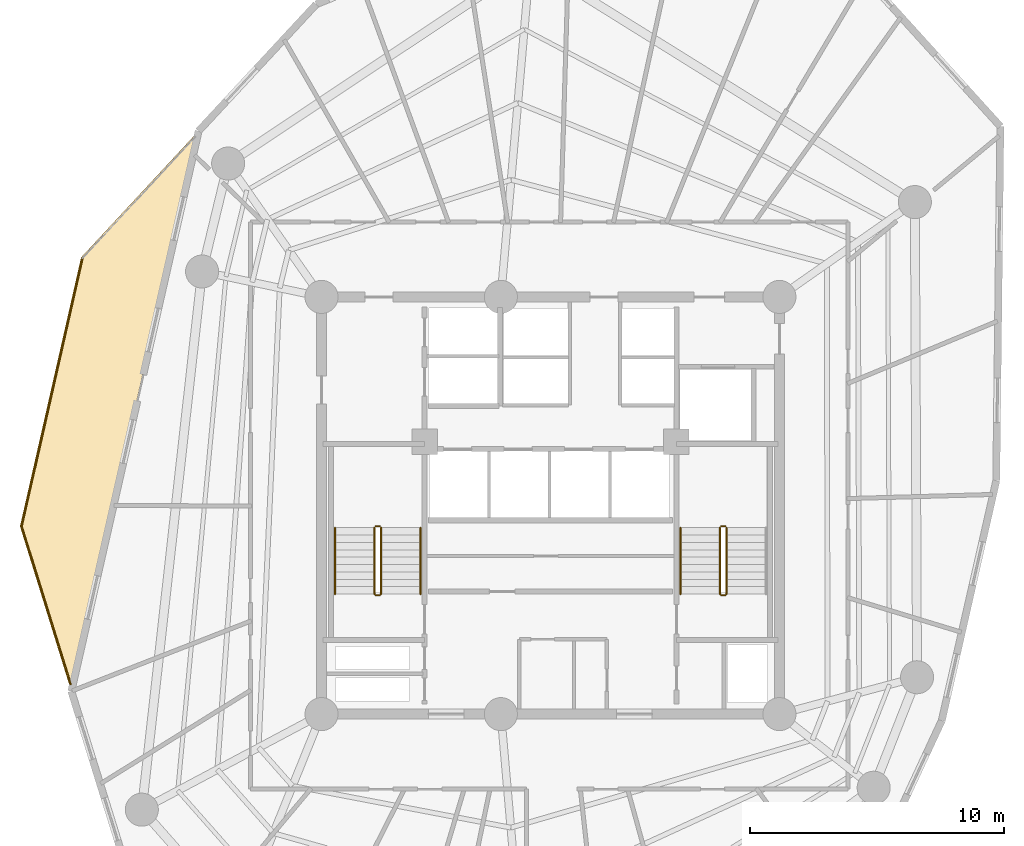
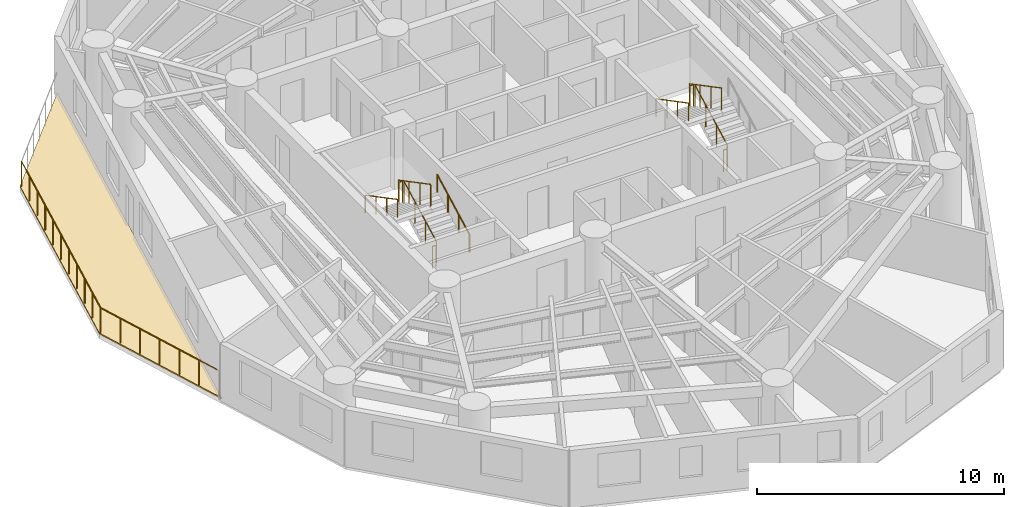
# One storey, part 8 of 9: 13 railings, 1 covering.
"""IFC4 building model written with IfcOpenShell, lengths in metres."""

import ifcopenshell
import ifcopenshell.guid

model = None  # the IFC model being written
_history = None  # IfcOwnerHistory: only IFC2X3 demands one
_inside = {}  # id of a spatial element -> (the spatial element, [elements in it])
_under = {}  # id of a project, library or spatial element -> (it, [spatial elements below it])
_declared = {}  # id of a project -> (the project, [libraries it declares])
_typed = {}  # id of a type object -> (the type object, [elements of that type])
_made_of = {}  # id of a material, layer set ... -> (it, [elements and type objects made of it])


def new_model(schema):
    """Start an empty IFC model of exactly this schema.

    Asked for "IFC4X3", IfcOpenShell would pick the latest addendum, in which some entities
    have other attributes; the version numbers below select the first issue.
    IFC2X3 requires an IfcOwnerHistory on every rooted entity: one is made here for all.
    """
    global model, _history
    if schema == "IFC4X3":
        model = ifcopenshell.file(schema_version=(4, 3, 0, 0))
    else:
        model = ifcopenshell.file(schema=schema)
    _inside.clear()
    _under.clear()
    _declared.clear()
    _typed.clear()
    _made_of.clear()
    _history = None
    if model.schema == "IFC2X3":
        org = make("IfcOrganization", Name="unknown")
        user = make(
            "IfcPersonAndOrganization",
            ThePerson=make("IfcPerson", FamilyName="unknown"),
            TheOrganization=org,
        )
        app = make(
            "IfcApplication",
            ApplicationDeveloper=org,
            Version="unknown",
            ApplicationFullName="unknown",
            ApplicationIdentifier="unknown",
        )
        _history = make(
            "IfcOwnerHistory",
            OwningUser=user,
            OwningApplication=app,
            ChangeAction="ADDED",
            CreationDate=0,
        )
    return model


def make(cls, **values):
    """One entity of the class cls with the attributes given. An attribute that is None is left unset."""
    return model.create_entity(
        cls, **{name: value for name, value in values.items() if value is not None}
    )


def rooted(cls, **values):
    """An entity with a GlobalId (a new one), such as an element, a storey or a relation."""
    return make(cls, GlobalId=ifcopenshell.guid.new(), OwnerHistory=_history, **values)


def si_unit(unit_type, name, prefix=None):
    """IfcSIUnit, for example si_unit("LENGTHUNIT", "METRE", prefix="MILLI")."""
    return make("IfcSIUnit", UnitType=unit_type, Prefix=prefix, Name=name)


def assignment(units):
    """IfcUnitAssignment: the units of a project."""
    return None if units is None else make("IfcUnitAssignment", Units=units)


def point(xyz):
    """IfcCartesianPoint."""
    return None if xyz is None else make("IfcCartesianPoint", Coordinates=xyz)


def direction(xyz):
    """IfcDirection."""
    return None if xyz is None else make("IfcDirection", DirectionRatios=xyz)


def frame(location, z_axis=None, x_axis=None):
    """IfcAxis2Placement3D, a coordinate frame: its origin and axes. An axis left out is left unset."""
    return make(
        "IfcAxis2Placement3D",
        Location=point(location),
        Axis=direction(z_axis),
        RefDirection=direction(x_axis),
    )


def frame_2d(location, x_axis=None):
    """IfcAxis2Placement2D, a coordinate frame in the plane: its origin and x axis."""
    return make(
        "IfcAxis2Placement2D", Location=point(location), RefDirection=direction(x_axis)
    )


def origin():
    """The frame at (0, 0, 0) with its axes left unset."""
    return frame((0.0, 0.0, 0.0))


def origin_2d():
    """The frame at (0, 0) in the plane with its x axis left unset."""
    return frame_2d((0.0, 0.0))


def place(relative_to, where):
    """IfcLocalPlacement: puts the frame where relative to a parent placement (None: the world)."""
    return make(
        "IfcLocalPlacement", PlacementRelTo=relative_to, RelativePlacement=where
    )


def context(
    kind, dimensions, precision=None, world=None, true_north=None, identifier=None
):
    """IfcGeometricRepresentationContext, for example the 3D "Model" context."""
    return make(
        "IfcGeometricRepresentationContext",
        ContextIdentifier=identifier,
        ContextType=kind,
        CoordinateSpaceDimension=dimensions,
        Precision=precision,
        WorldCoordinateSystem=world,
        TrueNorth=true_north,
    )


def subcontext(parent, identifier, kind, view, scale=None):
    """IfcGeometricRepresentationSubContext, for example "Body" below "Model"."""
    return make(
        "IfcGeometricRepresentationSubContext",
        ContextIdentifier=identifier,
        ContextType=kind,
        ParentContext=parent,
        TargetScale=scale,
        TargetView=view,
    )


def project(units=None, contexts=None):
    """IfcProject with its units and contexts."""
    return rooted(
        "IfcProject",
        Name="project",
        RepresentationContexts=contexts,
        UnitsInContext=assignment(units),
    )


def spatial(cls, under=None, at=None, **own):
    """A site, building, storey or space (cls), placed at a placement, below another one or the project."""
    s = rooted(cls, ObjectPlacement=at, **own)
    if under is not None:
        _under.setdefault(under.id(), (under, []))[1].append(s)
    return s


def polyline(points):
    """IfcPolyline through the points."""
    return make("IfcPolyline", Points=[point(p) for p in points])


def profile(cls, at=None, kind="AREA", **sizes):
    """A parametric profile (cls). Its sizes go by their IFC names, for example OverallWidth=200.0."""
    return make(cls, ProfileType=kind, Position=at, **sizes)


def circle(**sizes):
    """IfcCircleProfileDef."""
    return profile("IfcCircleProfileDef", **sizes)


def outline(outer, holes=None, kind="AREA"):
    """IfcArbitraryClosedProfileDef: a profile drawn as a closed curve; with holes, ...WithVoids."""
    if holes is None:
        return make("IfcArbitraryClosedProfileDef", ProfileType=kind, OuterCurve=outer)
    return make(
        "IfcArbitraryProfileDefWithVoids",
        ProfileType=kind,
        OuterCurve=outer,
        InnerCurves=holes,
    )


def extrude(swept, where, along, depth):
    """IfcExtrudedAreaSolid: the profile swept, set in the frame where, extruded along a direction by depth."""
    return make(
        "IfcExtrudedAreaSolid",
        SweptArea=swept,
        Position=where,
        ExtrudedDirection=direction(along),
        Depth=depth,
    )


def shape(context_of_items, identifier, shape_type, items):
    """IfcShapeRepresentation: the items that make up one representation, for example the "Body"."""
    return make(
        "IfcShapeRepresentation",
        ContextOfItems=context_of_items,
        RepresentationIdentifier=identifier,
        RepresentationType=shape_type,
        Items=items,
    )


def material(Name=None, Category=None):
    """IfcMaterial."""
    return make("IfcMaterial", Name=Name, Category=Category)


def layer(
    of_material, thickness, ventilated=None, Name=None, Category=None, Priority=None
):
    """IfcMaterialLayer: one layer of a wall or slab, of a material (None: an air gap)."""
    return make(
        "IfcMaterialLayer",
        Material=of_material,
        LayerThickness=thickness,
        IsVentilated=ventilated,
        Name=Name,
        Category=Category,
        Priority=Priority,
    )


def layer_set(layers, Name=None):
    """IfcMaterialLayerSet."""
    return make("IfcMaterialLayerSet", MaterialLayers=layers, LayerSetName=Name)


def made_of(thing, what):
    """Note that an element or type object is made of a material, layer set ...; save() writes the relation."""
    if what is not None:
        _made_of.setdefault(what.id(), (what, []))[1].append(thing)
    return thing


def type_object(cls, material=None, **own):
    """A type object (cls), such as IfcWallType, which elements share."""
    return made_of(rooted(cls, **own), material)


def element(
    cls,
    number,
    at=None,
    inside=None,
    cuts=None,
    type_object=None,
    material=None,
    context=None,
    identifier="Body",
    shape_type=None,
    held_by="IfcProductDefinitionShape",
    body=None,
    shapes=None,
    **own,
):
    """One element of the class cls, such as IfcWall. Its Tag is "e" and its number.

    at: its placement. inside: the storey or other place that contains it. cuts: it is an
    opening in that element (IfcRelVoidsElement). A single representation is given by context,
    identifier, shape_type and body (its items); several are given by shapes. held_by: the class
    of the entity that holds the representations. save() writes the other relations.
    """
    e = rooted(cls, Tag="e%d" % number, ObjectPlacement=at, **own)
    if body is not None:
        shapes = [shape(context, identifier, shape_type, body)]
    if shapes is not None:
        e.Representation = make(held_by, Representations=shapes)
    if inside is not None:
        _inside.setdefault(inside.id(), (inside, []))[1].append(e)
    if cuts is not None:
        rooted(
            "IfcRelVoidsElement", RelatingBuildingElement=cuts, RelatedOpeningElement=e
        )
    if type_object is not None:
        _typed.setdefault(type_object.id(), (type_object, []))[1].append(e)
    return made_of(e, material)


def aggregate(whole, parts):
    """IfcRelAggregates: a whole, such as a stair, and the parts it consists of."""
    return rooted("IfcRelAggregates", RelatingObject=whole, RelatedObjects=parts)


def save(model, path):
    """Write the relations noted so far, then the file.

    IfcRelAggregates (storeys below a building ...), IfcRelContainedInSpatialStructure (elements
    in a storey), IfcRelDefinesByType, IfcRelAssociatesMaterial and IfcRelDeclares: one each for
    every whole, place, type object, material and project.
    """
    for whole, parts in _under.values():
        aggregate(whole, parts)
    for where, things in _inside.values():
        rooted(
            "IfcRelContainedInSpatialStructure",
            RelatedElements=things,
            RelatingStructure=where,
        )
    for kind, things in _typed.values():
        rooted("IfcRelDefinesByType", RelatedObjects=things, RelatingType=kind)
    for what, things in _made_of.values():
        rooted("IfcRelAssociatesMaterial", RelatedObjects=things, RelatingMaterial=what)
    for by, libraries in _declared.values():
        rooted("IfcRelDeclares", RelatingContext=by, RelatedDefinitions=libraries)
    model.write(path)


model = new_model("IFC4")

# Units and contexts
model_context = context("Model", 3, precision=1e-05, world=origin(), true_north=direction((0.0, 1.0)))
body_context = subcontext(model_context, "Body", "Model", "MODEL_VIEW")
ifc_project = project(units=[si_unit("LENGTHUNIT", "METRE"), si_unit("AREAUNIT", "SQUARE_METRE"), si_unit("VOLUMEUNIT", "CUBIC_METRE"), si_unit("PLANEANGLEUNIT", "RADIAN"), si_unit("MASSUNIT", "GRAM", prefix="KILO")], contexts=[model_context])

# Site, building, storey
site_placement = place(None, origin())
site = spatial("IfcSite", under=ifc_project, at=site_placement, CompositionType="ELEMENT")
building_placement = place(site_placement, origin())
building = spatial("IfcBuilding", under=site, at=building_placement, Name="Karkom Vertical University and Central Library", CompositionType="ELEMENT")
storey_placement = place(building_placement, frame((0.0, 0.0, 156.550048828125)))
storey = spatial("IfcBuildingStorey", under=building, at=storey_placement, Name="L44", CompositionType="ELEMENT", Elevation=156.550048828125)

# Covering
ifc_material_1 = material(Name="EPDM membrane with Kota stone ballast roofing", Category="masonry")
ifc_layer_1 = layer(ifc_material_1, 0.080078125)
ifc_layer_set_1 = layer_set([ifc_layer_1], Name="EPDM membrane with Kota stone ballast roofing")
covering_type = type_object("IfcCoveringType", Name="ENV-COV-ROOF", PredefinedType="ROOFING", material=ifc_layer_set_1)
covering_placement = place(storey_placement, origin())
element("IfcCovering", 1, at=covering_placement, inside=storey, type_object=covering_type, Name="Level 44 Spiral Sky Garden Waterproofing Covering", PredefinedType="ROOFING", context=body_context, shape_type="SweptSolid", body=[
    extrude(outline(polyline([(7.647216796875, 25.68310546875), (10.047119140625, 36.2470703125), (14.638916015625, 41.194091796875), (9.650390625, 19.23779296875), (7.647216796875, 25.68310546875)])), origin(), (0.0, 0.0, 1.0), 0.06005859375),
])

# Railings
ifc_material_2 = material(Name="Architectural painted steel & laminated glass balustrade", Category="steel")
ifc_layer_2 = layer(ifc_material_2, 0.090087890625)
ifc_layer_set_2 = layer_set([ifc_layer_2], Name="Architectural painted steel & laminated glass balustrade")
railing_type_1 = type_object("IfcRailingType", Name="ENV-RL-BAL1300", PredefinedType="BALUSTRADE", material=ifc_layer_set_2)
railing_1_placement = place(storey_placement, frame((7.709228515625, 25.685302734375, 0.0)))
element("IfcRailing", 2, at=railing_1_placement, inside=storey, type_object=railing_type_1, Name="Level 44 Planted Terrace Safety Balustrade 01", PredefinedType="BALUSTRADE", context=body_context, shape_type="SweptSolid", body=[
    extrude(circle(Radius=0.02392578125, at=origin_2d()), frame((0.0, 0.0, 1.27587890625), z_axis=(0.221535130182, 0.975152391216, 0.0), x_axis=(-0.975152391216, 0.221535130182, 0.0)), (0.0, 0.0, 1.0), 10.801025390625),
    extrude(circle(Radius=0.02099609375, at=origin_2d()), origin(), (0.0, 0.0, 1.0), 1.251953125),
    extrude(circle(Radius=0.02099609375, at=origin_2d()), frame((0.2392578125, 1.05322265625, 0.0)), (0.0, 0.0, 1.0), 1.251953125),
    extrude(circle(Radius=0.02099609375, at=origin_2d()), frame((0.478515625, 2.1064453125, 0.0)), (0.0, 0.0, 1.0), 1.251953125),
    extrude(circle(Radius=0.02099609375, at=origin_2d()), frame((0.7177734375, 3.159912109375, 0.0)), (0.0, 0.0, 1.0), 1.251953125),
    extrude(circle(Radius=0.02099609375, at=origin_2d()), frame((0.95703125, 4.213134765625, 0.0)), (0.0, 0.0, 1.0), 1.251953125),
    extrude(circle(Radius=0.02099609375, at=origin_2d()), frame((1.1962890625, 5.266357421875, 0.0)), (0.0, 0.0, 1.0), 1.251953125),
    extrude(circle(Radius=0.02099609375, at=origin_2d()), frame((1.435791015625, 6.319580078125, 0.0)), (0.0, 0.0, 1.0), 1.251953125),
    extrude(circle(Radius=0.02099609375, at=origin_2d()), frame((1.675048828125, 7.372802734375, 0.0)), (0.0, 0.0, 1.0), 1.251953125),
    extrude(circle(Radius=0.02099609375, at=origin_2d()), frame((1.914306640625, 8.42626953125, 0.0)), (0.0, 0.0, 1.0), 1.251953125),
    extrude(circle(Radius=0.02099609375, at=origin_2d()), frame((2.153564453125, 9.4794921875, 0.0)), (0.0, 0.0, 1.0), 1.251953125),
    extrude(circle(Radius=0.02099609375, at=origin_2d()), frame((2.392822265625, 10.53271484375, 0.0)), (0.0, 0.0, 1.0), 1.251953125),
])
railing_2_placement = place(storey_placement, frame((9.641357421875, 19.46875, 0.0)))
element("IfcRailing", 3, at=railing_2_placement, inside=storey, type_object=railing_type_1, Name="Level 44 Planted Terrace Safety Balustrade 03", PredefinedType="BALUSTRADE", context=body_context, shape_type="SweptSolid", body=[
    extrude(circle(Radius=0.02392578125, at=origin_2d()), frame((0.0, 0.0, 1.27587890625), z_axis=(-0.296799072193, 0.954939951382, 0.0), x_axis=(-0.954939951382, -0.296799072193, 0.0)), (0.0, 0.0, 1.0), 6.510009765625),
    extrude(circle(Radius=0.02099609375, at=origin_2d()), origin(), (0.0, 0.0, 1.0), 1.251953125),
    extrude(circle(Radius=0.02099609375, at=origin_2d()), frame((-0.322021484375, 1.0361328125, 0.0)), (0.0, 0.0, 1.0), 1.251953125),
    extrude(circle(Radius=0.02099609375, at=origin_2d()), frame((-0.64404296875, 2.072265625, 0.0)), (0.0, 0.0, 1.0), 1.251953125),
    extrude(circle(Radius=0.02099609375, at=origin_2d()), frame((-0.966064453125, 3.1083984375, 0.0)), (0.0, 0.0, 1.0), 1.251953125),
    extrude(circle(Radius=0.02099609375, at=origin_2d()), frame((-1.2880859375, 4.144287109375, 0.0)), (0.0, 0.0, 1.0), 1.251953125),
    extrude(circle(Radius=0.02099609375, at=origin_2d()), frame((-1.610107421875, 5.180419921875, 0.0)), (0.0, 0.0, 1.0), 1.251953125),
    extrude(circle(Radius=0.02099609375, at=origin_2d()), frame((-1.93212890625, 6.216552734375, 0.0)), (0.0, 0.0, 1.0), 1.251953125),
])
ifc_material_3 = material(Name="Painted galvanised steel balustrade", Category="steel")
ifc_layer_3 = layer(ifc_material_3, 0.06005859375)
ifc_layer_set_3 = layer_set([ifc_layer_3], Name="Painted galvanised steel balustrade")
railing_type_2 = type_object("IfcRailingType", Name="INT-RL-GUARD1100", PredefinedType="GUARDRAIL", material=ifc_layer_set_3)
railing_3_placement = place(storey_placement, frame((21.840087890625, 23.02001953125, 0.15234375)))
element("IfcRailing", 4, at=railing_3_placement, inside=storey, type_object=railing_type_2, Name="Level 44 ST-1 stair guard 1", PredefinedType="GUARDRAIL", context=body_context, shape_type="SweptSolid", body=[
    extrude(circle(Radius=0.02392578125, at=origin_2d()), frame((0.0, 0.0, 1.076171875), z_axis=(0.0, 0.885065446896, 0.46546659892), x_axis=(-1.0, 0.0, 0.0)), (0.0, 0.0, 1.0), 2.94873046875),
    extrude(circle(Radius=0.02099609375, at=origin_2d()), origin(), (0.0, 0.0, 1.0), 1.052001953125),
    extrude(circle(Radius=0.02099609375, at=origin_2d()), frame((0.0, 0.869873046875, 0.45751953125)), (0.0, 0.0, 1.0), 1.052001953125),
    extrude(circle(Radius=0.02099609375, at=origin_2d()), frame((0.0, 1.739990234375, 0.9150390625)), (0.0, 0.0, 1.0), 1.052001953125),
    extrude(circle(Radius=0.02099609375, at=origin_2d()), frame((0.0, 2.60986328125, 1.37255859375)), (0.0, 0.0, 1.0), 1.052001953125),
])
railing_4_placement = place(storey_placement, frame((21.7900390625, 25.679931640625, 1.52490234375)))
element("IfcRailing", 5, at=railing_4_placement, inside=storey, type_object=railing_type_2, Name="Level 44 ST-1 stair guard 2", PredefinedType="GUARDRAIL", context=body_context, shape_type="SweptSolid", body=[
    extrude(circle(Radius=0.02392578125, at=origin_2d()), frame((0.0, 0.0, 1.076171875), z_axis=(-1.0, 0.0, 0.0), x_axis=(0.0, -1.0, 0.0)), (0.0, 0.0, 1.0), 0.16015625),
    extrude(circle(Radius=0.02099609375, at=origin_2d()), origin(), (0.0, 0.0, 1.0), 1.052001953125),
    extrude(circle(Radius=0.02099609375, at=origin_2d()), frame((-0.16015625, 0.0, 0.0)), (0.0, 0.0, 1.0), 1.052001953125),
])
railing_5_placement = place(storey_placement, frame((21.580078125, 25.6298828125, 1.677490234375)))
element("IfcRailing", 6, at=railing_5_placement, inside=storey, type_object=railing_type_2, Name="Level 44 ST-1 stair guard 3", PredefinedType="GUARDRAIL", context=body_context, shape_type="SweptSolid", body=[
    extrude(circle(Radius=0.02392578125, at=origin_2d()), frame((0.0, 0.0, 1.076171875), z_axis=(0.0, -0.885065446896, 0.46546659892), x_axis=(1.0, 0.0, 0.0)), (0.0, 0.0, 1.0), 2.94873046875),
    extrude(circle(Radius=0.02099609375, at=origin_2d()), origin(), (0.0, 0.0, 1.0), 1.052001953125),
    extrude(circle(Radius=0.02099609375, at=origin_2d()), frame((0.0, -0.869873046875, 0.45751953125)), (0.0, 0.0, 1.0), 1.052001953125),
    extrude(circle(Radius=0.02099609375, at=origin_2d()), frame((0.0, -1.739990234375, 0.9150390625)), (0.0, 0.0, 1.0), 1.052001953125),
    extrude(circle(Radius=0.02099609375, at=origin_2d()), frame((0.0, -2.60986328125, 1.37255859375)), (0.0, 0.0, 1.0), 1.052001953125),
])
railing_6_placement = place(storey_placement, frame((21.7900390625, 22.969970703125, 0.0)))
element("IfcRailing", 7, at=railing_6_placement, inside=storey, type_object=railing_type_2, Name="Level 44 ST-1 stair guard 4", PredefinedType="GUARDRAIL", context=body_context, shape_type="SweptSolid", body=[
    extrude(circle(Radius=0.02392578125, at=origin_2d()), frame((0.0, 0.0, 1.076171875), z_axis=(-1.0, 0.0, 0.0), x_axis=(0.0, -1.0, 0.0)), (0.0, 0.0, 1.0), 0.16015625),
    extrude(circle(Radius=0.02099609375, at=origin_2d()), origin(), (0.0, 0.0, 1.0), 1.052001953125),
    extrude(circle(Radius=0.02099609375, at=origin_2d()), frame((-0.16015625, 0.0, 0.0)), (0.0, 0.0, 1.0), 1.052001953125),
])
railing_7_placement = place(storey_placement, frame((35.419921875, 23.02001953125, 0.15234375)))
element("IfcRailing", 8, at=railing_7_placement, inside=storey, type_object=railing_type_2, Name="Level 44 ST-2 stair guard 1", PredefinedType="GUARDRAIL", context=body_context, shape_type="SweptSolid", body=[
    extrude(circle(Radius=0.02392578125, at=origin_2d()), frame((0.0, 0.0, 1.076171875), z_axis=(0.0, 0.885065446896, 0.46546659892), x_axis=(-1.0, 0.0, 0.0)), (0.0, 0.0, 1.0), 2.94873046875),
    extrude(circle(Radius=0.02099609375, at=origin_2d()), origin(), (0.0, 0.0, 1.0), 1.052001953125),
    extrude(circle(Radius=0.02099609375, at=origin_2d()), frame((0.0, 0.869873046875, 0.45751953125)), (0.0, 0.0, 1.0), 1.052001953125),
    extrude(circle(Radius=0.02099609375, at=origin_2d()), frame((0.0, 1.739990234375, 0.9150390625)), (0.0, 0.0, 1.0), 1.052001953125),
    extrude(circle(Radius=0.02099609375, at=origin_2d()), frame((0.0, 2.60986328125, 1.37255859375)), (0.0, 0.0, 1.0), 1.052001953125),
])
railing_8_placement = place(storey_placement, frame((35.3701171875, 25.679931640625, 1.52490234375)))
element("IfcRailing", 9, at=railing_8_placement, inside=storey, type_object=railing_type_2, Name="Level 44 ST-2 stair guard 2", PredefinedType="GUARDRAIL", context=body_context, shape_type="SweptSolid", body=[
    extrude(circle(Radius=0.02392578125, at=origin_2d()), frame((0.0, 0.0, 1.076171875), z_axis=(-1.0, 0.0, 0.0), x_axis=(0.0, -1.0, 0.0)), (0.0, 0.0, 1.0), 0.16015625),
    extrude(circle(Radius=0.02099609375, at=origin_2d()), origin(), (0.0, 0.0, 1.0), 1.052001953125),
    extrude(circle(Radius=0.02099609375, at=origin_2d()), frame((-0.16015625, 0.0, 0.0)), (0.0, 0.0, 1.0), 1.052001953125),
])
railing_9_placement = place(storey_placement, frame((35.159912109375, 25.6298828125, 1.677490234375)))
element("IfcRailing", 10, at=railing_9_placement, inside=storey, type_object=railing_type_2, Name="Level 44 ST-2 stair guard 3", PredefinedType="GUARDRAIL", context=body_context, shape_type="SweptSolid", body=[
    extrude(circle(Radius=0.02392578125, at=origin_2d()), frame((0.0, 0.0, 1.076171875), z_axis=(0.0, -0.885065446896, 0.46546659892), x_axis=(1.0, 0.0, 0.0)), (0.0, 0.0, 1.0), 2.94873046875),
    extrude(circle(Radius=0.02099609375, at=origin_2d()), origin(), (0.0, 0.0, 1.0), 1.052001953125),
    extrude(circle(Radius=0.02099609375, at=origin_2d()), frame((0.0, -0.869873046875, 0.45751953125)), (0.0, 0.0, 1.0), 1.052001953125),
    extrude(circle(Radius=0.02099609375, at=origin_2d()), frame((0.0, -1.739990234375, 0.9150390625)), (0.0, 0.0, 1.0), 1.052001953125),
    extrude(circle(Radius=0.02099609375, at=origin_2d()), frame((0.0, -2.60986328125, 1.37255859375)), (0.0, 0.0, 1.0), 1.052001953125),
])
railing_10_placement = place(storey_placement, frame((35.3701171875, 22.969970703125, 0.0)))
element("IfcRailing", 11, at=railing_10_placement, inside=storey, type_object=railing_type_2, Name="Level 44 ST-2 stair guard 4", PredefinedType="GUARDRAIL", context=body_context, shape_type="SweptSolid", body=[
    extrude(circle(Radius=0.02392578125, at=origin_2d()), frame((0.0, 0.0, 1.076171875), z_axis=(-1.0, 0.0, 0.0), x_axis=(0.0, -1.0, 0.0)), (0.0, 0.0, 1.0), 0.16015625),
    extrude(circle(Radius=0.02099609375, at=origin_2d()), origin(), (0.0, 0.0, 1.0), 1.052001953125),
    extrude(circle(Radius=0.02099609375, at=origin_2d()), frame((-0.16015625, 0.0, 0.0)), (0.0, 0.0, 1.0), 1.052001953125),
])
ifc_material_4 = material(Name="Brushed stainless-steel tubular handrail", Category="steel")
ifc_layer_4 = layer(ifc_material_4, 0.048095703125)
ifc_layer_set_4 = layer_set([ifc_layer_4], Name="Brushed stainless-steel tubular handrail")
railing_type_3 = type_object("IfcRailingType", Name="INT-RL-HAND920", PredefinedType="HANDRAIL", material=ifc_layer_set_4)
railing_11_placement = place(storey_placement, frame((23.389892578125, 23.02001953125, 0.15234375)))
element("IfcRailing", 12, at=railing_11_placement, inside=storey, type_object=railing_type_3, Name="Level 44 ST-1 stair handrail 1", PredefinedType="HANDRAIL", context=body_context, shape_type="SweptSolid", body=[
    extrude(circle(Radius=0.02392578125, at=origin_2d()), frame((0.0, 0.0, 0.8759765625), z_axis=(0.0, 0.885065446896, 0.46546659892), x_axis=(-1.0, 0.0, 0.0)), (0.0, 0.0, 1.0), 2.94873046875),
    extrude(circle(Radius=0.02099609375, at=origin_2d()), origin(), (0.0, 0.0, 1.0), 0.851806640625),
    extrude(circle(Radius=0.02099609375, at=origin_2d()), frame((0.0, 0.869873046875, 0.45751953125)), (0.0, 0.0, 1.0), 0.851806640625),
    extrude(circle(Radius=0.02099609375, at=origin_2d()), frame((0.0, 1.739990234375, 0.9150390625)), (0.0, 0.0, 1.0), 0.851806640625),
    extrude(circle(Radius=0.02099609375, at=origin_2d()), frame((0.0, 2.60986328125, 1.37255859375)), (0.0, 0.0, 1.0), 0.851806640625),
])
for number, where, name in (
    (13, (20.030029296875, 25.6298828125, 1.677490234375), "Level 44 ST-1 stair handrail 2"),
    (14, (33.610107421875, 25.6298828125, 1.677490234375), "Level 44 ST-2 stair handrail 2"),
):
    element("IfcRailing", number, at=place(storey_placement, frame(where)), inside=storey, type_object=railing_type_3, Name=name, PredefinedType="HANDRAIL", context=body_context, shape_type="SweptSolid", body=[
        extrude(circle(Radius=0.02392578125, at=origin_2d()), frame((0.0, 0.0, 0.8759765625), z_axis=(0.0, -0.885065446896, 0.46546659892), x_axis=(1.0, 0.0, 0.0)), (0.0, 0.0, 1.0), 2.94873046875),
        extrude(circle(Radius=0.02099609375, at=origin_2d()), origin(), (0.0, 0.0, 1.0), 0.851806640625),
        extrude(circle(Radius=0.02099609375, at=origin_2d()), frame((0.0, -0.869873046875, 0.45751953125)), (0.0, 0.0, 1.0), 0.851806640625),
        extrude(circle(Radius=0.02099609375, at=origin_2d()), frame((0.0, -1.739990234375, 0.9150390625)), (0.0, 0.0, 1.0), 0.851806640625),
        extrude(circle(Radius=0.02099609375, at=origin_2d()), frame((0.0, -2.60986328125, 1.37255859375)), (0.0, 0.0, 1.0), 0.851806640625),
    ])

save(model, "model.ifc")
